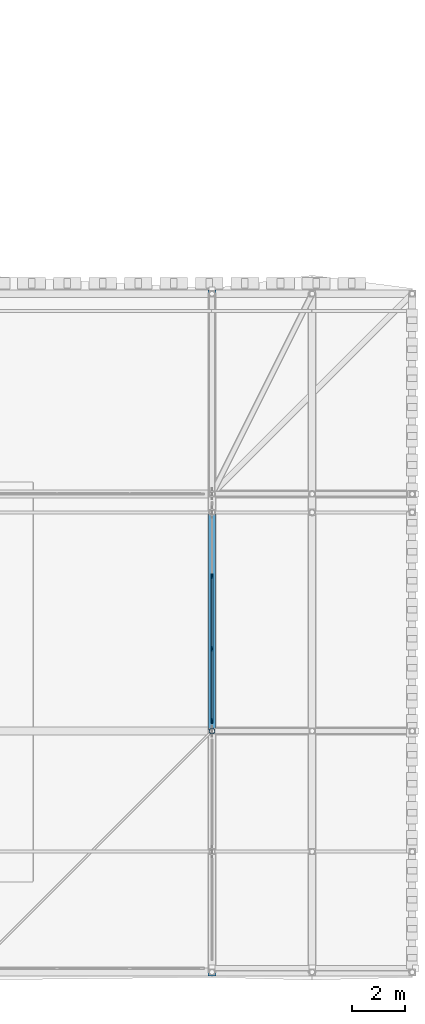
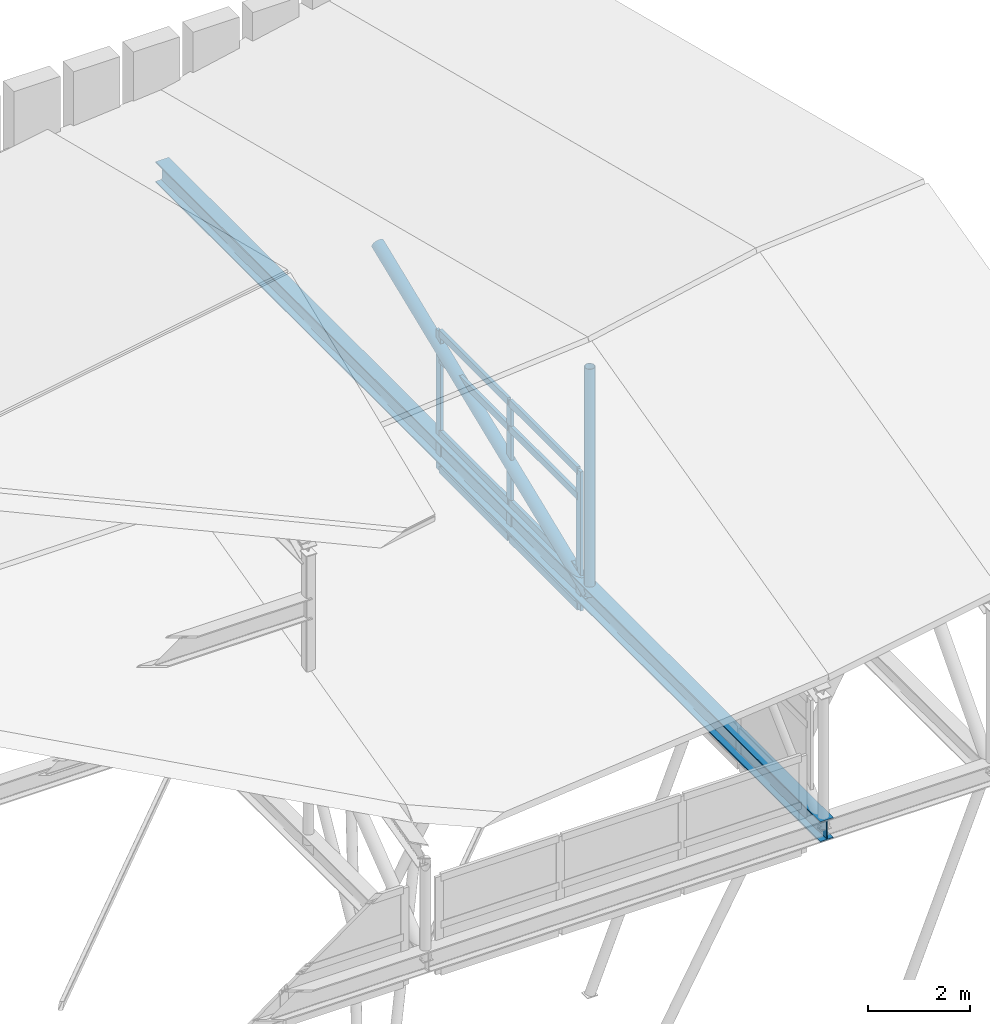
# One storey, part 15 of 42: 13 members, 1 beam, 1 element without a shape of its own.
"""IFC4 building model written with IfcOpenShell, lengths in metres."""

from ifc_helpers import new_model, si_unit, direction, frame, origin, origin_2d, place, context, subcontext, project, spatial, rectangle, hollow_circle, i_section, extrude, material, material_profile, profile_set, type_object, element, aggregate, save


model = new_model("IFC4")

# Units and contexts
model_context = context("Model", 3, precision=1e-05, world=origin(), true_north=direction((0.0, 1.0)))
body_context = subcontext(model_context, "Body", "Model", "MODEL_VIEW")
ifc_project = project(units=[si_unit("LENGTHUNIT", "METRE"), si_unit("AREAUNIT", "SQUARE_METRE"), si_unit("VOLUMEUNIT", "CUBIC_METRE"), si_unit("PLANEANGLEUNIT", "RADIAN"), si_unit("MASSUNIT", "GRAM", prefix="KILO")], contexts=[model_context])

# Site, building, storey
site_placement = place(None, origin())
site = spatial("IfcSite", under=ifc_project, at=site_placement, CompositionType="ELEMENT")
building_placement = place(site_placement, origin())
building = spatial("IfcBuilding", under=site, at=building_placement, Name="Bozkorgan Art Gallery", CompositionType="ELEMENT")
storey_placement = place(building_placement, frame((0.0, 0.0, 28.800048828125)))
storey = spatial("IfcBuildingStorey", under=building, at=storey_placement, Name="RF", CompositionType="ELEMENT", Elevation=28.800048828125)

# Beam
ifc_material_1 = material(Name="Steel S355J2", Category="steel")
ifc_material_profile_1 = material_profile(ifc_material_1, i_section(OverallWidth=0.300048828125, OverallDepth=0.5, WebThickness=0.014404296875, FlangeThickness=0.028076171875, FilletRadius=0.027099609375, at=origin_2d()), Name="HEB 500")
ifc_profile_set_1 = profile_set([ifc_material_profile_1], Name="Steel S355J2")
beam_type = type_object("IfcBeamType", Name="BEAM-TO-52", PredefinedType="BEAM", material=ifc_profile_set_1)
beam_placement = place(storey_placement, frame((65.0, 1.7099609375, 0.25), z_axis=(0.0, 1.0, 0.0), x_axis=(-1.0, 0.0, 0.0)))
element("IfcBeam", 1, at=beam_placement, inside=storey, type_object=beam_type, Name="ROOF-V1-MAIN roof truss 8 bottom chord", PredefinedType="BEAM", context=body_context, shape_type="SweptSolid", body=[
    extrude(i_section(OverallWidth=0.300048828125, OverallDepth=0.5, WebThickness=0.014404296875, FlangeThickness=0.028076171875, FilletRadius=0.027099609375, at=origin_2d()), origin(), (0.0, 0.0, 1.0), 26.030029296875),
])

# Curtain wall, members
ifc_material_2 = material(Name="Anodised Bronze Aluminium", Category="aluminium")
curtain_wall_type = type_object("IfcCurtainWallType", Name="CW-CW-62", PredefinedType="NOTDEFINED", material=ifc_material_2)
curtain_wall_placement = place(storey_placement, origin())
curtain_wall = element("IfcCurtainWall", 2, at=curtain_wall_placement, inside=storey, type_object=curtain_wall_type, Name="RF unitised curtain wall CW-RF-V1-E-11", PredefinedType="NOTDEFINED")
ifc_material_profile_2 = material_profile(ifc_material_2, rectangle(XDim=0.06494140625, YDim=0.179931640625, at=origin_2d()), Name="ALU MULLION 65x180")
ifc_profile_set_2 = profile_set([ifc_material_profile_2], Name="Anodised Bronze Aluminium")
member_type_1 = type_object("IfcMemberType", Name="CWM-01", PredefinedType="MULLION", material=ifc_profile_set_2)
member_1_placement = place(storey_placement, frame((65.0, 11.392578125, -0.324951171875), z_axis=(0.0, 0.0, 1.0), x_axis=(-1.0, 0.0, 0.0)))
member_1 = element("IfcMember", 3, at=member_1_placement, type_object=member_type_1, Name="CW-62 mullion 1", PredefinedType="MULLION", context=body_context, shape_type="SweptSolid", body=[
    extrude(rectangle(XDim=0.06494140625, YDim=0.179931640625, at=origin_2d()), origin(), (0.0, 0.0, 1.0), 3.324951171875),
])
member_2_placement = place(storey_placement, frame((65.0, 14.1201171875, -0.324951171875), z_axis=(0.0, 0.0, 1.0), x_axis=(-1.0, 0.0, 0.0)))
member_2 = element("IfcMember", 4, at=member_2_placement, type_object=member_type_1, Name="CW-62 mullion 2", PredefinedType="MULLION", context=body_context, shape_type="SweptSolid", body=[
    extrude(rectangle(XDim=0.06494140625, YDim=0.179931640625, at=origin_2d()), origin(), (0.0, 0.0, 1.0), 3.324951171875),
])
member_3_placement = place(storey_placement, frame((65.0, 16.8798828125, -0.324951171875), z_axis=(0.0, 0.0, 1.0), x_axis=(-1.0, 0.0, 0.0)))
member_3 = element("IfcMember", 5, at=member_3_placement, type_object=member_type_1, Name="CW-62 mullion 3", PredefinedType="MULLION", context=body_context, shape_type="SweptSolid", body=[
    extrude(rectangle(XDim=0.06494140625, YDim=0.179931640625, at=origin_2d()), origin(), (0.0, 0.0, 1.0), 3.324951171875),
])
ifc_material_profile_3 = material_profile(ifc_material_2, rectangle(XDim=0.074951171875, YDim=0.169921875, at=origin_2d()), Name="ALU TRANSOM 75x170")
ifc_profile_set_3 = profile_set([ifc_material_profile_3], Name="Anodised Bronze Aluminium")
member_type_2 = type_object("IfcMemberType", Name="CWT-02", PredefinedType="USERDEFINED", material=ifc_profile_set_3)
member_4_placement = place(storey_placement, frame((65.0, 11.425048828125, -0.28759765625), z_axis=(0.0, 1.0, 0.0), x_axis=(-1.0, 0.0, 0.0)))
member_4 = element("IfcMember", 6, at=member_4_placement, type_object=member_type_2, Name="CW-62 transom 1.1", ObjectType="TRANSOM", PredefinedType="USERDEFINED", context=body_context, shape_type="SweptSolid", body=[
    extrude(rectangle(XDim=0.074951171875, YDim=0.169921875, at=origin_2d()), origin(), (0.0, 0.0, 1.0), 2.662353515625),
])
member_5_placement = place(storey_placement, frame((65.0, 11.425048828125, 0.574951171875), z_axis=(0.0, 1.0, 0.0), x_axis=(-1.0, 0.0, 0.0)))
member_5 = element("IfcMember", 7, at=member_5_placement, type_object=member_type_2, Name="CW-62 transom 1.2", ObjectType="TRANSOM", PredefinedType="USERDEFINED", context=body_context, shape_type="SweptSolid", body=[
    extrude(rectangle(XDim=0.074951171875, YDim=0.169921875, at=origin_2d()), origin(), (0.0, 0.0, 1.0), 2.662353515625),
])
member_6_placement = place(storey_placement, frame((65.0, 11.425048828125, 2.349853515625), z_axis=(0.0, 1.0, 0.0), x_axis=(-1.0, 0.0, 0.0)))
member_6 = element("IfcMember", 8, at=member_6_placement, type_object=member_type_2, Name="CW-62 transom 1.3", ObjectType="TRANSOM", PredefinedType="USERDEFINED", context=body_context, shape_type="SweptSolid", body=[
    extrude(rectangle(XDim=0.074951171875, YDim=0.169921875, at=origin_2d()), origin(), (0.0, 0.0, 1.0), 2.662353515625),
])
member_7_placement = place(storey_placement, frame((65.0, 11.425048828125, 2.96240234375), z_axis=(0.0, 1.0, 0.0), x_axis=(-1.0, 0.0, 0.0)))
member_7 = element("IfcMember", 9, at=member_7_placement, type_object=member_type_2, Name="CW-62 transom 1.4", ObjectType="TRANSOM", PredefinedType="USERDEFINED", context=body_context, shape_type="SweptSolid", body=[
    extrude(rectangle(XDim=0.074951171875, YDim=0.169921875, at=origin_2d()), origin(), (0.0, 0.0, 1.0), 2.662353515625),
])
member_8_placement = place(storey_placement, frame((65.0, 14.152587890625, -0.28759765625), z_axis=(0.0, 1.0, 0.0), x_axis=(-1.0, 0.0, 0.0)))
member_8 = element("IfcMember", 10, at=member_8_placement, type_object=member_type_2, Name="CW-62 transom 2.1", ObjectType="TRANSOM", PredefinedType="USERDEFINED", context=body_context, shape_type="SweptSolid", body=[
    extrude(rectangle(XDim=0.074951171875, YDim=0.169921875, at=origin_2d()), origin(), (0.0, 0.0, 1.0), 2.69482421875),
])
member_9_placement = place(storey_placement, frame((65.0, 14.152587890625, 0.574951171875), z_axis=(0.0, 1.0, 0.0), x_axis=(-1.0, 0.0, 0.0)))
member_9 = element("IfcMember", 11, at=member_9_placement, type_object=member_type_2, Name="CW-62 transom 2.2", ObjectType="TRANSOM", PredefinedType="USERDEFINED", context=body_context, shape_type="SweptSolid", body=[
    extrude(rectangle(XDim=0.074951171875, YDim=0.169921875, at=origin_2d()), origin(), (0.0, 0.0, 1.0), 2.69482421875),
])
member_10_placement = place(storey_placement, frame((65.0, 14.152587890625, 2.349853515625), z_axis=(0.0, 1.0, 0.0), x_axis=(-1.0, 0.0, 0.0)))
member_10 = element("IfcMember", 12, at=member_10_placement, type_object=member_type_2, Name="CW-62 transom 2.3", ObjectType="TRANSOM", PredefinedType="USERDEFINED", context=body_context, shape_type="SweptSolid", body=[
    extrude(rectangle(XDim=0.074951171875, YDim=0.169921875, at=origin_2d()), origin(), (0.0, 0.0, 1.0), 2.69482421875),
])
member_11_placement = place(storey_placement, frame((65.0, 14.152587890625, 2.96240234375), z_axis=(0.0, 1.0, 0.0), x_axis=(-1.0, 0.0, 0.0)))
member_11 = element("IfcMember", 13, at=member_11_placement, type_object=member_type_2, Name="CW-62 transom 2.4", ObjectType="TRANSOM", PredefinedType="USERDEFINED", context=body_context, shape_type="SweptSolid", body=[
    extrude(rectangle(XDim=0.074951171875, YDim=0.169921875, at=origin_2d()), origin(), (0.0, 0.0, 1.0), 2.69482421875),
])
aggregate(curtain_wall, [member_1, member_2, member_3, member_4, member_5, member_6, member_7, member_8, member_9, member_10, member_11])

# Members
ifc_material_profile_4 = material_profile(ifc_material_1, hollow_circle(Radius=0.109619140625, WallThickness=0.010009765625, at=origin_2d()), Name="CHS 219.1x10")
ifc_profile_set_4 = profile_set([ifc_material_profile_4], Name="Steel S355J2")
member_type_3 = type_object("IfcMemberType", Name="MEMBER-TP-78", PredefinedType="POST", material=ifc_profile_set_4)
member_12_placement = place(storey_placement, frame((65.0, 11.0, 0.25), z_axis=(0.0, 0.0, 1.0), x_axis=(1.0, 0.0, 0.0)))
element("IfcMember", 14, at=member_12_placement, inside=storey, type_object=member_type_3, Name="ROOF-V1-MAIN roof truss 8 post 2", PredefinedType="POST", context=body_context, shape_type="SweptSolid", body=[
    extrude(hollow_circle(Radius=0.109619140625, WallThickness=0.010009765625, at=origin_2d()), origin(), (0.0, 0.0, 1.0), 5.4560546875),
])
ifc_material_profile_5 = material_profile(ifc_material_1, hollow_circle(Radius=0.136474609375, WallThickness=0.012451171875, at=origin_2d()), Name="CHS 273x12.5")
ifc_profile_set_5 = profile_set([ifc_material_profile_5], Name="Steel S355J2")
member_type_4 = type_object("IfcMemberType", Name="MEMBER-TW-28", PredefinedType="BRACE", material=ifc_profile_set_5)
member_13_placement = place(storey_placement, frame((65.0, 11.0, 0.25), z_axis=(0.0, 0.927095549346, 0.374825082383), x_axis=(-1.0, 0.0, 0.0)))
element("IfcMember", 15, at=member_13_placement, inside=storey, type_object=member_type_4, Name="ROOF-V1-MAIN roof truss 8 diagonal 3", PredefinedType="BRACE", context=body_context, shape_type="SweptSolid", body=[
    extrude(hollow_circle(Radius=0.136474609375, WallThickness=0.012451171875, at=origin_2d()), origin(), (0.0, 0.0, 1.0), 8.95263671875),
])

save(model, "model.ifc")
